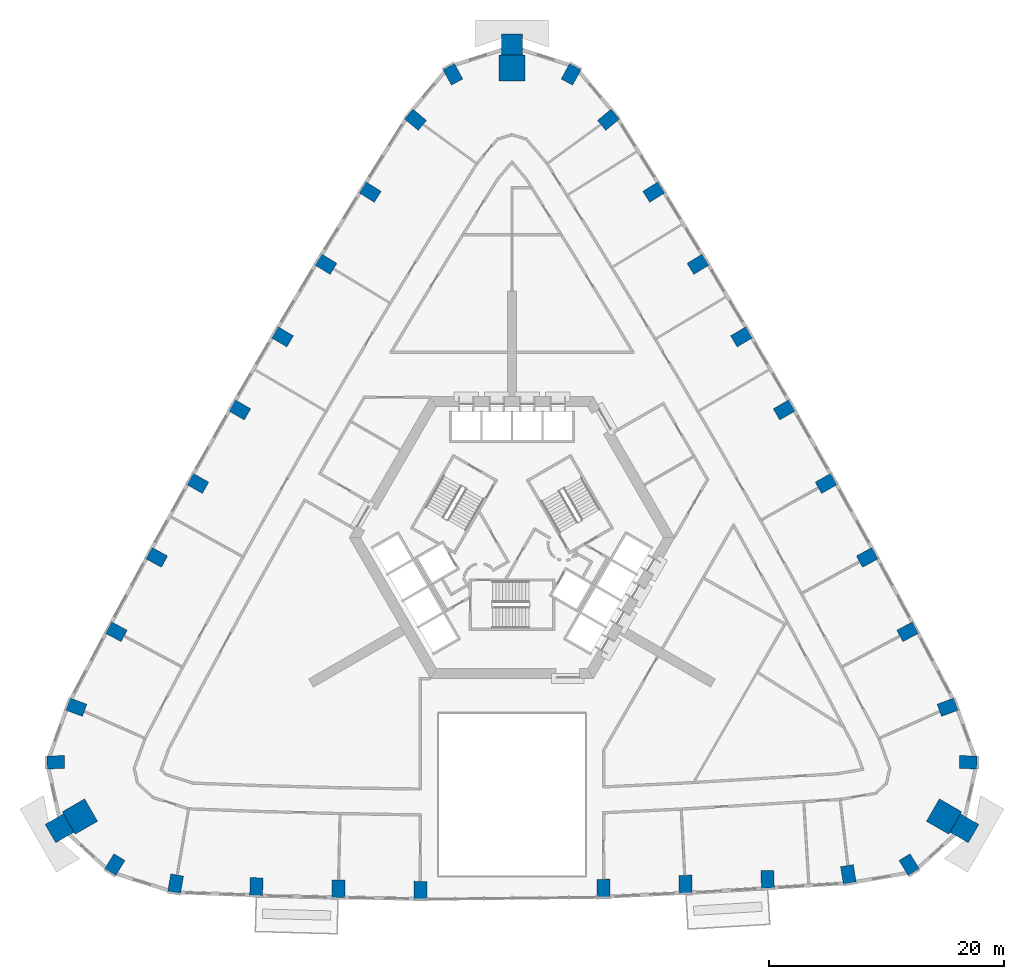
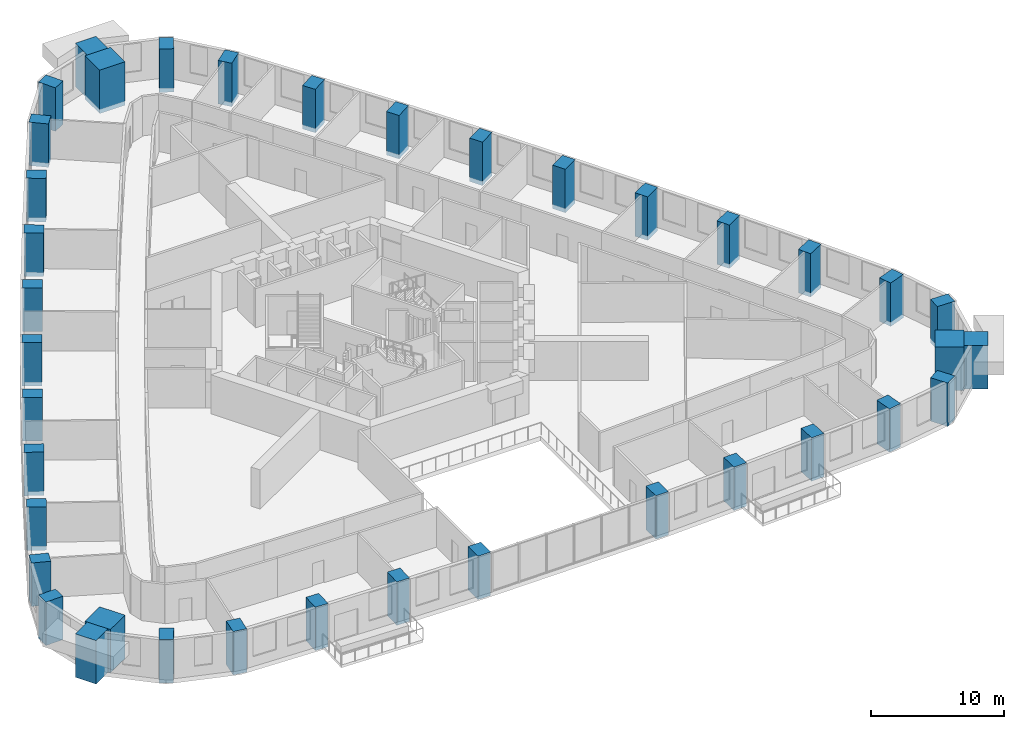
# One storey, part 1 of 15: 38 columns.
"""IFC4 building model written with IfcOpenShell, lengths in metres."""

from ifc_helpers import new_model, si_unit, direction, frame, origin, origin_2d, place, context, subcontext, project, spatial, rectangle, extrude, material, material_profile, profile_set, type_object, element, save


model = new_model("IFC4")

# Units and contexts
model_context = context("Model", 3, precision=1e-05, world=origin(), true_north=direction((0.0, 1.0)))
body_context = subcontext(model_context, "Body", "Model", "MODEL_VIEW")
ifc_project = project(units=[si_unit("LENGTHUNIT", "METRE"), si_unit("AREAUNIT", "SQUARE_METRE"), si_unit("VOLUMEUNIT", "CUBIC_METRE"), si_unit("PLANEANGLEUNIT", "RADIAN"), si_unit("MASSUNIT", "GRAM", prefix="KILO")], contexts=[model_context])

# Site, building, storey
site_placement = place(None, origin())
site = spatial("IfcSite", under=ifc_project, at=site_placement, CompositionType="ELEMENT")
building_placement = place(site_placement, origin())
building = spatial("IfcBuilding", under=site, at=building_placement, Name="Entoto Arch Interchange Tower", CompositionType="ELEMENT")
storey_placement = place(building_placement, frame((0.0, 0.0, 128.60009765625)))
storey = spatial("IfcBuildingStorey", under=building, at=storey_placement, Name="L28", CompositionType="ELEMENT", Elevation=128.60009765625)

# Columns
ifc_material_1 = material(Name="Concrete C60/75", Category="concrete")
ifc_material_profile_1 = material_profile(ifc_material_1, rectangle(XDim=1.10009765625, YDim=1.5, at=origin_2d()))
ifc_profile_set_1 = profile_set([ifc_material_profile_1], Name="Concrete C60/75")
column_type_1 = type_object("IfcColumnType", Name="Column RC 1100x1500 C60/75", PredefinedType="COLUMN", material=ifc_profile_set_1)
for number, where, z_axis, x_axis, name in (
    (1, (-28.633056640625, -26.949951171875, -0.400146484375), (0.0, 0.0, 1.0), (-0.985759288085, 0.168162498658, 0.0), "Column S01 L28"),
    (2, (-21.757080078125, -27.196044921875, -0.400146484375), (0.0, 0.0, 1.0), (-0.999373652571, 0.035387887008, 0.0), "Column S02 L28"),
    (3, (-14.77294921875, -27.382080078125, -0.400146484375), (0.0, 0.0, 1.0), (-0.999711216939, 0.024030870297, 0.0), "Column S03 L28"),
    (4, (-7.7919921875, -27.498046875, -0.400146484375), (0.0, 0.0, 1.0), (-0.999958020206, 0.009162850353, 0.0), "Column S04 L28"),
    (5, (7.7919921875, -27.324951171875, -0.400146484375), (0.0, 0.0, 1.0), (0.999958020206, 0.009162850353, 0.0), "Column S05 L28"),
    (6, (14.77294921875, -26.987060546875, -0.400146484375), (0.0, 0.0, 1.0), (0.999711216939, 0.024030870297, 0.0), "Column S06 L28"),
    (7, (21.757080078125, -26.5791015625, -0.400146484375), (0.0, 0.0, 1.0), (0.999373652571, 0.035387887008, 0.0), "Column S07 L28"),
    (8, (28.633056640625, -26.157958984375, -0.400146484375), (0.0, 0.0, 1.0), (0.985759288085, 0.168162498658, 0.0), "Column S08 L28"),
    (9, (33.80810546875, -25.3310546875, -0.400146484375), (0.0, 0.0, 1.0), (0.854095929175, 0.520115510024, 0.0), "Column SE1 L28"),
    (10, (38.841064453125, -16.614013671875, -0.400146484375), (0.0, 0.0, 1.0), (0.023385279996, 0.999726526946, 0.0), "Column SE3 L28"),
    (11, (37.080078125, -11.930908203125, -0.400146484375), (0.0, 0.0, 1.0), (-0.347312116358, 0.937749590152, 0.0), "Column NE01 L28"),
    (12, (33.674072265625, -5.509033203125, -0.400146484375), (0.0, 0.0, 1.0), (-0.469332863911, 0.883021326386, 0.0), "Column NE02 L28"),
    (13, (30.238037109375, 0.822021484375, -0.400146484375), (0.0, 0.0, 1.0), (-0.479611016922, 0.87748120917, 0.0), "Column NE03 L28"),
    (14, (26.735107421875, 7.116943359375, -0.400146484375), (0.0, 0.0, 1.0), (-0.489838999048, 0.87181291285, 0.0), "Column NE04 L28"),
    (15, (23.166015625, 13.375, -0.400146484375), (0.0, 0.0, 1.0), (-0.5, 0.866025403784, 0.0), "Column NE05 L28"),
    (16, (19.531982421875, 19.594970703125, -0.400146484375), (0.0, 0.0, 1.0), (-0.510092630351, 0.860119473365, 0.0), "Column NE06 L28"),
    (17, (15.8310546875, 25.77587890625, -0.400146484375), (0.0, 0.0, 1.0), (-0.520115510024, 0.854095929175, 0.0), "Column NE07 L28"),
    (18, (12.06591796875, 31.9169921875, -0.400146484375), (0.0, 0.0, 1.0), (-0.530067268476, 0.847955594881, 0.0), "Column NE08 L28"),
    (19, (8.2080078125, 38.076904296875, -0.400146484375), (0.0, 0.0, 1.0), (-0.638458909281, 0.769655910885, 0.0), "Column NE09 L28"),
    (20, (5.032958984375, 41.944091796875, -0.400146484375), (0.0, 0.0, 1.0), (-0.87748120917, 0.479611016922, 0.0), "Column N1 L28"),
    (21, (-5.032958984375, 41.944091796875, -0.400146484375), (0.0, 0.0, 1.0), (0.87748120917, 0.479611016922, 0.0), "Column N3 L28"),
    (22, (-8.2080078125, 38.076904296875, -0.400146484375), (0.0, 0.0, 1.0), (0.638458909281, 0.769655910885, 0.0), "Column NW01 L28"),
    (23, (-12.06591796875, 31.9169921875, -0.400146484375), (0.0, 0.0, 1.0), (0.530067268476, 0.847955594881, 0.0), "Column NW02 L28"),
    (24, (-15.8310546875, 25.77587890625, -0.400146484375), (0.0, 0.0, 1.0), (0.520115510024, 0.854095929175, 0.0), "Column NW03 L28"),
    (25, (-19.531982421875, 19.594970703125, -0.400146484375), (0.0, 0.0, 1.0), (0.510092630351, 0.860119473365, 0.0), "Column NW04 L28"),
    (26, (-23.166015625, 13.375, -0.400146484375), (0.0, 0.0, 1.0), (0.5, 0.866025403784, 0.0), "Column NW05 L28"),
    (27, (-26.735107421875, 7.116943359375, -0.400146484375), (0.0, 0.0, 1.0), (0.489838999048, 0.87181291285, 0.0), "Column NW06 L28"),
    (28, (-30.238037109375, 0.822021484375, -0.400146484375), (0.0, 0.0, 1.0), (0.479611016922, 0.87748120917, 0.0), "Column NW07 L28"),
    (29, (-33.674072265625, -5.509033203125, -0.400146484375), (0.0, 0.0, 1.0), (0.469332863911, 0.883021326386, 0.0), "Column NW08 L28"),
    (30, (-37.080078125, -11.930908203125, -0.400146484375), (0.0, 0.0, 1.0), (0.347312116358, 0.937749590152, 0.0), "Column NW09 L28"),
    (31, (-38.841064453125, -16.614013671875, -0.400146484375), (0.0, 0.0, 1.0), (-0.023385279996, 0.999726526946, 0.0), "Column SW1 L28"),
    (32, (-33.80810546875, -25.3310546875, -0.400146484375), (0.0, 0.0, 1.0), (-0.854095929175, 0.520115510024, 0.0), "Column SW3 L28"),
):
    element("IfcColumn", number, at=place(storey_placement, frame(where, z_axis=z_axis, x_axis=x_axis)), inside=storey, type_object=column_type_1, Name=name, PredefinedType="COLUMN", context=body_context, shape_type="SweptSolid", body=[
        extrude(rectangle(XDim=1.10009765625, YDim=1.5, at=origin_2d()), origin(), (0.0, 0.0, 1.0), 4.0),
    ])
ifc_material_2 = material(Name="Precast concrete C40/50", Category="concrete")
ifc_material_profile_2 = material_profile(ifc_material_2, rectangle(XDim=1.800048828125, YDim=1.800048828125, at=origin_2d()))
ifc_profile_set_2 = profile_set([ifc_material_profile_2], Name="Precast concrete C40/50")
column_type_2 = type_object("IfcColumnType", Name="Frame post RC 1800x1800 precast C40/50", PredefinedType="COLUMN", material=ifc_profile_set_2)
for number, where, z_axis, x_axis, name in (
    (33, (38.512939453125, -22.236083984375, -0.400146484375), (0.0, 0.0, 1.0), (-0.866025403784, 0.5, 0.0), "Frame post SE L28"),
    (34, (0.0, 44.470947265625, -0.400146484375), (0.0, 0.0, 1.0), (0.0, 1.0, 0.0), "Frame post N L28"),
    (35, (-38.512939453125, -22.236083984375, -0.400146484375), (0.0, 0.0, 1.0), (0.866025403784, 0.5, 0.0), "Frame post SW L28"),
):
    element("IfcColumn", number, at=place(storey_placement, frame(where, z_axis=z_axis, x_axis=x_axis)), inside=storey, type_object=column_type_2, Name=name, PredefinedType="COLUMN", context=body_context, shape_type="SweptSolid", body=[
        extrude(rectangle(XDim=1.800048828125, YDim=1.800048828125, at=origin_2d()), origin(), (0.0, 0.0, 1.0), 4.0),
    ])
ifc_material_profile_3 = material_profile(ifc_material_1, rectangle(XDim=2.199951171875, YDim=2.199951171875, at=origin_2d()))
ifc_profile_set_3 = profile_set([ifc_material_profile_3], Name="Concrete C60/75")
column_type_3 = type_object("IfcColumnType", Name="Mega column RC 2200x2200 C60/75", PredefinedType="COLUMN", material=ifc_profile_set_3)
for number, where, z_axis, x_axis, name in (
    (36, (36.781005859375, -21.236083984375, -0.400146484375), (0.0, 0.0, 1.0), (-0.866025403784, 0.5, 0.0), "Corner mega column SE2 L28"),
    (37, (0.0, 42.470947265625, -0.400146484375), (0.0, 0.0, 1.0), (0.0, 1.0, 0.0), "Corner mega column N2 L28"),
    (38, (-36.781005859375, -21.236083984375, -0.400146484375), (0.0, 0.0, 1.0), (0.866025403784, 0.5, 0.0), "Corner mega column SW2 L28"),
):
    element("IfcColumn", number, at=place(storey_placement, frame(where, z_axis=z_axis, x_axis=x_axis)), inside=storey, type_object=column_type_3, Name=name, PredefinedType="COLUMN", context=body_context, shape_type="SweptSolid", body=[
        extrude(rectangle(XDim=2.199951171875, YDim=2.199951171875, at=origin_2d()), origin(), (0.0, 0.0, 1.0), 4.0),
    ])

save(model, "model.ifc")
